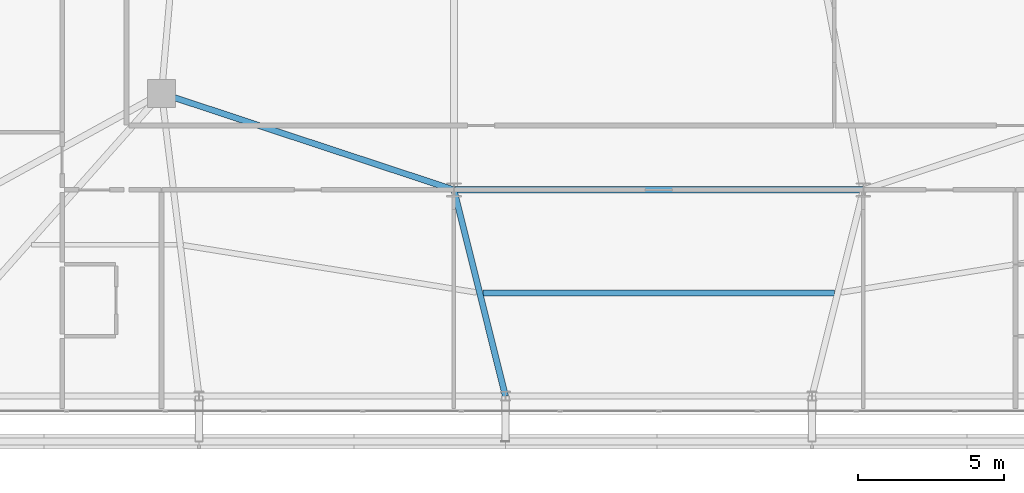
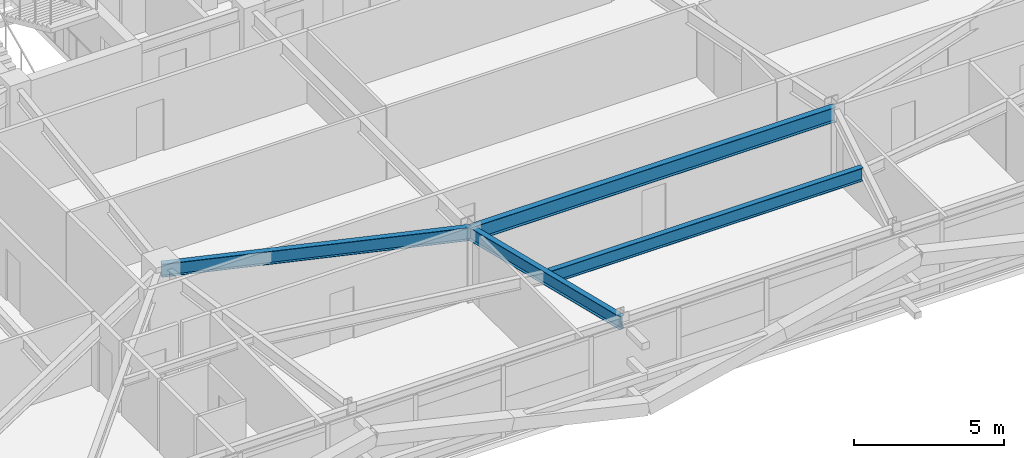
# One storey, part 13 of 59: 4 beams.
"""IFC4 building model written with IfcOpenShell, lengths in metres."""

from ifc_helpers import new_model, si_unit, direction, frame, origin, origin_2d, place, context, subcontext, project, spatial, i_section, extrude, source, transform, mapped, material, material_profile, profile_set, type_object, element, save


model = new_model("IFC4")

# Units and contexts
model_context = context("Model", 3, precision=1e-05, world=origin(), true_north=direction((0.0, 1.0)))
body_context = subcontext(model_context, "Body", "Model", "MODEL_VIEW")
ifc_project = project(units=[si_unit("LENGTHUNIT", "METRE"), si_unit("AREAUNIT", "SQUARE_METRE"), si_unit("VOLUMEUNIT", "CUBIC_METRE"), si_unit("PLANEANGLEUNIT", "RADIAN"), si_unit("MASSUNIT", "GRAM", prefix="KILO")], contexts=[model_context])

# Site, building, storey
site_placement = place(None, origin())
site = spatial("IfcSite", under=ifc_project, at=site_placement, CompositionType="ELEMENT")
building_placement = place(site_placement, origin())
building = spatial("IfcBuilding", under=site, at=building_placement, Name="Taldren Reach Tower", CompositionType="ELEMENT")
storey_placement = place(building_placement, frame((0.0, 0.0, 29.39990234375)))
storey = spatial("IfcBuildingStorey", under=building, at=storey_placement, Name="L08", CompositionType="ELEMENT", Elevation=29.39990234375)

# Beams
ifc_material = material(Name="Steel Gr 350 (350PLUS)", Category="steel")
ifc_material_profile_1 = material_profile(ifc_material, i_section(OverallWidth=0.208984375, OverallDepth=0.532958984375, WebThickness=0.01025390625, FlangeThickness=0.015625, at=origin_2d()), Name="530UB92.4")
ifc_profile_set_1 = profile_set([ifc_material_profile_1], Name="Steel Gr 350 (350PLUS)")
beam_type_1 = type_object("IfcBeamType", Name="BM-UB530A", PredefinedType="BEAM", material=ifc_profile_set_1)
shared_shape_1 = source(origin(), body_context, "Body", "SweptSolid", [
    extrude(i_section(OverallWidth=0.208984375, OverallDepth=0.532958984375, WebThickness=0.01025390625, FlangeThickness=0.015625, at=origin_2d()), origin(), (0.0, 0.0, 1.0), 10.530517578125),
])
beam_1_placement = place(storey_placement, frame((18.0, 12.5, 2.66357421875), z_axis=(0.949627269203, -0.313381635689, 0.0), x_axis=(0.313381635689, 0.949627269203, 0.0)))
element("IfcBeam", 1, at=beam_1_placement, inside=storey, type_object=beam_type_1, Name="Core-spine girder L08-SP10", PredefinedType="BEAM", context=body_context, shape_type="MappedRepresentation", body=[
    mapped(shared_shape_1, transform((0.0, 0.0, 0.0), scale=1.0)),
])
ifc_material_profile_2 = material_profile(ifc_material, i_section(OverallWidth=0.22802734375, OverallDepth=0.60205078125, WebThickness=0.010498046875, FlangeThickness=0.014892578125, at=origin_2d()), Name="610UB101")
ifc_profile_set_2 = profile_set([ifc_material_profile_2], Name="Steel Gr 350 (350PLUS)")
beam_type_2 = type_object("IfcBeamType", Name="BM-UB610B", PredefinedType="BEAM", material=ifc_profile_set_2)
shared_shape_2 = source(origin(), body_context, "Body", "SweptSolid", [
    extrude(i_section(OverallWidth=0.22802734375, OverallDepth=0.60205078125, WebThickness=0.010498046875, FlangeThickness=0.014892578125, at=origin_2d()), origin(), (0.0, 0.0, 1.0), 14.0),
])
beam_2_placement = place(storey_placement, frame((28.0, 9.199951171875, 2.629150390625), z_axis=(1.0, 0.0, 0.0), x_axis=(0.0, 1.0, 0.0)))
element("IfcBeam", 2, at=beam_2_placement, inside=storey, type_object=beam_type_2, Name="Core-spine girder L08-SP11", PredefinedType="BEAM", context=body_context, shape_type="MappedRepresentation", body=[
    mapped(shared_shape_2, transform((0.0, 0.0, 0.0), scale=1.0)),
])
shared_shape_3 = source(origin(), body_context, "Body", "SweptSolid", [
    extrude(i_section(OverallWidth=0.208984375, OverallDepth=0.532958984375, WebThickness=0.01025390625, FlangeThickness=0.015625, at=origin_2d()), origin(), (0.0, 0.0, 1.0), 7.266357421875),
])
beam_3_placement = place(storey_placement, frame((28.0, 9.199951171875, 2.66357421875), z_axis=(0.24221148493, -0.970223477642, 0.0), x_axis=(0.970223477642, 0.24221148493, 0.0)))
element("IfcBeam", 3, at=beam_3_placement, inside=storey, type_object=beam_type_1, Name="Primary floor girder B1-S3 L08", PredefinedType="BEAM", context=body_context, shape_type="MappedRepresentation", body=[
    mapped(shared_shape_3, transform((0.0, 0.0, 0.0), scale=1.0)),
])
shared_shape_4 = source(origin(), body_context, "Body", "SweptSolid", [
    extrude(i_section(OverallWidth=0.208984375, OverallDepth=0.532958984375, WebThickness=0.01025390625, FlangeThickness=0.015625, at=origin_2d()), origin(), (0.0, 0.0, 1.0), 12.0244140625),
])
beam_4_placement = place(storey_placement, frame((28.98779296875, 5.675048828125, 2.66357421875), z_axis=(1.0, 0.0, 0.0), x_axis=(0.0, 1.0, 0.0)))
element("IfcBeam", 4, at=beam_4_placement, inside=storey, type_object=beam_type_1, Name="Secondary floor beam B1 J3 L08", PredefinedType="BEAM", context=body_context, shape_type="MappedRepresentation", body=[
    mapped(shared_shape_4, transform((0.0, 0.0, 0.0), scale=1.0)),
])

save(model, "model.ifc")
